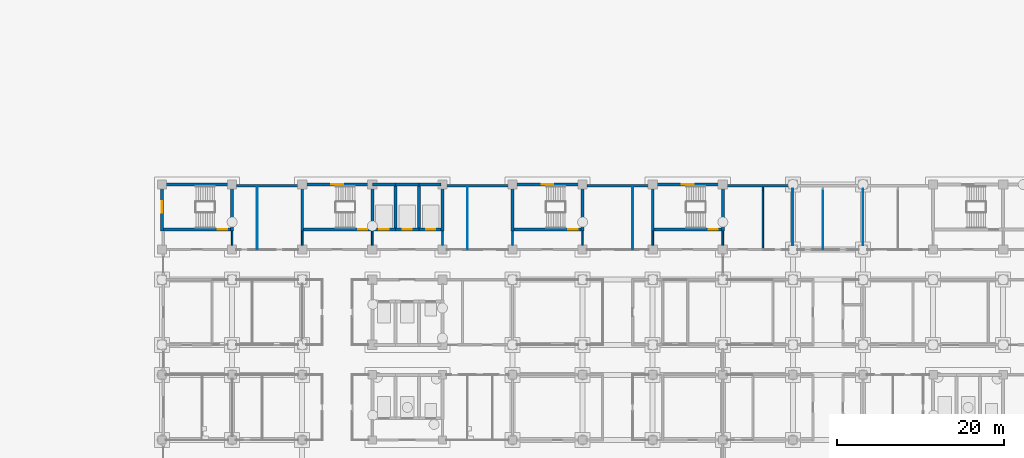
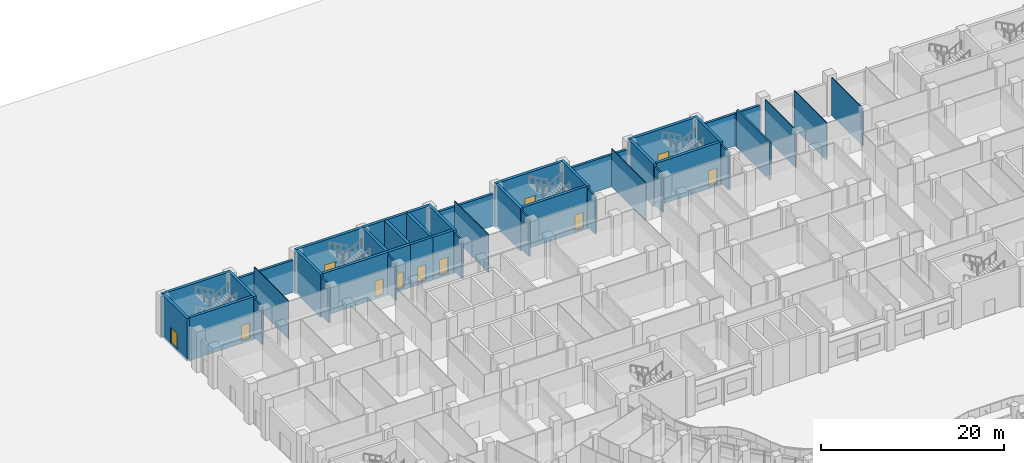
# One storey, part 91 of 146: 45 walls, 11 doors, 11 openings.
"""IFC4 building model written with IfcOpenShell, lengths in metres."""

import ifcopenshell
import ifcopenshell.guid

model = None  # the IFC model being written
_history = None  # IfcOwnerHistory: only IFC2X3 demands one
_inside = {}  # id of a spatial element -> (the spatial element, [elements in it])
_under = {}  # id of a project, library or spatial element -> (it, [spatial elements below it])
_declared = {}  # id of a project -> (the project, [libraries it declares])
_typed = {}  # id of a type object -> (the type object, [elements of that type])
_made_of = {}  # id of a material, layer set ... -> (it, [elements and type objects made of it])


def new_model(schema):
    """Start an empty IFC model of exactly this schema.

    Asked for "IFC4X3", IfcOpenShell would pick the latest addendum, in which some entities
    have other attributes; the version numbers below select the first issue.
    IFC2X3 requires an IfcOwnerHistory on every rooted entity: one is made here for all.
    """
    global model, _history
    if schema == "IFC4X3":
        model = ifcopenshell.file(schema_version=(4, 3, 0, 0))
    else:
        model = ifcopenshell.file(schema=schema)
    _inside.clear()
    _under.clear()
    _declared.clear()
    _typed.clear()
    _made_of.clear()
    _history = None
    if model.schema == "IFC2X3":
        org = make("IfcOrganization", Name="unknown")
        user = make(
            "IfcPersonAndOrganization",
            ThePerson=make("IfcPerson", FamilyName="unknown"),
            TheOrganization=org,
        )
        app = make(
            "IfcApplication",
            ApplicationDeveloper=org,
            Version="unknown",
            ApplicationFullName="unknown",
            ApplicationIdentifier="unknown",
        )
        _history = make(
            "IfcOwnerHistory",
            OwningUser=user,
            OwningApplication=app,
            ChangeAction="ADDED",
            CreationDate=0,
        )
    return model


def make(cls, **values):
    """One entity of the class cls with the attributes given. An attribute that is None is left unset."""
    return model.create_entity(
        cls, **{name: value for name, value in values.items() if value is not None}
    )


def rooted(cls, **values):
    """An entity with a GlobalId (a new one), such as an element, a storey or a relation."""
    return make(cls, GlobalId=ifcopenshell.guid.new(), OwnerHistory=_history, **values)


def si_unit(unit_type, name, prefix=None):
    """IfcSIUnit, for example si_unit("LENGTHUNIT", "METRE", prefix="MILLI")."""
    return make("IfcSIUnit", UnitType=unit_type, Prefix=prefix, Name=name)


def assignment(units):
    """IfcUnitAssignment: the units of a project."""
    return None if units is None else make("IfcUnitAssignment", Units=units)


def point(xyz):
    """IfcCartesianPoint."""
    return None if xyz is None else make("IfcCartesianPoint", Coordinates=xyz)


def direction(xyz):
    """IfcDirection."""
    return None if xyz is None else make("IfcDirection", DirectionRatios=xyz)


def frame(location, z_axis=None, x_axis=None):
    """IfcAxis2Placement3D, a coordinate frame: its origin and axes. An axis left out is left unset."""
    return make(
        "IfcAxis2Placement3D",
        Location=point(location),
        Axis=direction(z_axis),
        RefDirection=direction(x_axis),
    )


def frame_2d(location, x_axis=None):
    """IfcAxis2Placement2D, a coordinate frame in the plane: its origin and x axis."""
    return make(
        "IfcAxis2Placement2D", Location=point(location), RefDirection=direction(x_axis)
    )


def origin():
    """The frame at (0, 0, 0) with its axes left unset."""
    return frame((0.0, 0.0, 0.0))


def place(relative_to, where):
    """IfcLocalPlacement: puts the frame where relative to a parent placement (None: the world)."""
    return make(
        "IfcLocalPlacement", PlacementRelTo=relative_to, RelativePlacement=where
    )


def context(
    kind, dimensions, precision=None, world=None, true_north=None, identifier=None
):
    """IfcGeometricRepresentationContext, for example the 3D "Model" context."""
    return make(
        "IfcGeometricRepresentationContext",
        ContextIdentifier=identifier,
        ContextType=kind,
        CoordinateSpaceDimension=dimensions,
        Precision=precision,
        WorldCoordinateSystem=world,
        TrueNorth=true_north,
    )


def subcontext(parent, identifier, kind, view, scale=None):
    """IfcGeometricRepresentationSubContext, for example "Body" below "Model"."""
    return make(
        "IfcGeometricRepresentationSubContext",
        ContextIdentifier=identifier,
        ContextType=kind,
        ParentContext=parent,
        TargetScale=scale,
        TargetView=view,
    )


def project(units=None, contexts=None):
    """IfcProject with its units and contexts."""
    return rooted(
        "IfcProject",
        Name="project",
        RepresentationContexts=contexts,
        UnitsInContext=assignment(units),
    )


def spatial(cls, under=None, at=None, **own):
    """A site, building, storey or space (cls), placed at a placement, below another one or the project."""
    s = rooted(cls, ObjectPlacement=at, **own)
    if under is not None:
        _under.setdefault(under.id(), (under, []))[1].append(s)
    return s


def profile(cls, at=None, kind="AREA", **sizes):
    """A parametric profile (cls). Its sizes go by their IFC names, for example OverallWidth=200.0."""
    return make(cls, ProfileType=kind, Position=at, **sizes)


def rectangle(**sizes):
    """IfcRectangleProfileDef."""
    return profile("IfcRectangleProfileDef", **sizes)


def extrude(swept, where, along, depth):
    """IfcExtrudedAreaSolid: the profile swept, set in the frame where, extruded along a direction by depth."""
    return make(
        "IfcExtrudedAreaSolid",
        SweptArea=swept,
        Position=where,
        ExtrudedDirection=direction(along),
        Depth=depth,
    )


def shape(context_of_items, identifier, shape_type, items):
    """IfcShapeRepresentation: the items that make up one representation, for example the "Body"."""
    return make(
        "IfcShapeRepresentation",
        ContextOfItems=context_of_items,
        RepresentationIdentifier=identifier,
        RepresentationType=shape_type,
        Items=items,
    )


def material(Name=None, Category=None):
    """IfcMaterial."""
    return make("IfcMaterial", Name=Name, Category=Category)


def layer(
    of_material, thickness, ventilated=None, Name=None, Category=None, Priority=None
):
    """IfcMaterialLayer: one layer of a wall or slab, of a material (None: an air gap)."""
    return make(
        "IfcMaterialLayer",
        Material=of_material,
        LayerThickness=thickness,
        IsVentilated=ventilated,
        Name=Name,
        Category=Category,
        Priority=Priority,
    )


def layer_set(layers, Name=None):
    """IfcMaterialLayerSet."""
    return make("IfcMaterialLayerSet", MaterialLayers=layers, LayerSetName=Name)


def made_of(thing, what):
    """Note that an element or type object is made of a material, layer set ...; save() writes the relation."""
    if what is not None:
        _made_of.setdefault(what.id(), (what, []))[1].append(thing)
    return thing


def type_object(cls, material=None, **own):
    """A type object (cls), such as IfcWallType, which elements share."""
    return made_of(rooted(cls, **own), material)


def element(
    cls,
    number,
    at=None,
    inside=None,
    cuts=None,
    type_object=None,
    material=None,
    context=None,
    identifier="Body",
    shape_type=None,
    held_by="IfcProductDefinitionShape",
    body=None,
    shapes=None,
    **own,
):
    """One element of the class cls, such as IfcWall. Its Tag is "e" and its number.

    at: its placement. inside: the storey or other place that contains it. cuts: it is an
    opening in that element (IfcRelVoidsElement). A single representation is given by context,
    identifier, shape_type and body (its items); several are given by shapes. held_by: the class
    of the entity that holds the representations. save() writes the other relations.
    """
    e = rooted(cls, Tag="e%d" % number, ObjectPlacement=at, **own)
    if body is not None:
        shapes = [shape(context, identifier, shape_type, body)]
    if shapes is not None:
        e.Representation = make(held_by, Representations=shapes)
    if inside is not None:
        _inside.setdefault(inside.id(), (inside, []))[1].append(e)
    if cuts is not None:
        rooted(
            "IfcRelVoidsElement", RelatingBuildingElement=cuts, RelatedOpeningElement=e
        )
    if type_object is not None:
        _typed.setdefault(type_object.id(), (type_object, []))[1].append(e)
    return made_of(e, material)


def fill(opening, filler):
    """IfcRelFillsElement: the door or window that sits in an opening."""
    return rooted(
        "IfcRelFillsElement",
        RelatingOpeningElement=opening,
        RelatedBuildingElement=filler,
    )


def aggregate(whole, parts):
    """IfcRelAggregates: a whole, such as a stair, and the parts it consists of."""
    return rooted("IfcRelAggregates", RelatingObject=whole, RelatedObjects=parts)


def save(model, path):
    """Write the relations noted so far, then the file.

    IfcRelAggregates (storeys below a building ...), IfcRelContainedInSpatialStructure (elements
    in a storey), IfcRelDefinesByType, IfcRelAssociatesMaterial and IfcRelDeclares: one each for
    every whole, place, type object, material and project.
    """
    for whole, parts in _under.values():
        aggregate(whole, parts)
    for where, things in _inside.values():
        rooted(
            "IfcRelContainedInSpatialStructure",
            RelatedElements=things,
            RelatingStructure=where,
        )
    for kind, things in _typed.values():
        rooted("IfcRelDefinesByType", RelatedObjects=things, RelatingType=kind)
    for what, things in _made_of.values():
        rooted("IfcRelAssociatesMaterial", RelatedObjects=things, RelatingMaterial=what)
    for by, libraries in _declared.values():
        rooted("IfcRelDeclares", RelatingContext=by, RelatedDefinitions=libraries)
    model.write(path)


model = new_model("IFC4")

# Units and contexts
model_context = context("Model", 3, precision=1e-05, world=origin(), true_north=direction((0.0, 1.0)))
body_context = subcontext(model_context, "Body", "Model", "MODEL_VIEW")
ifc_project = project(units=[si_unit("LENGTHUNIT", "METRE"), si_unit("AREAUNIT", "SQUARE_METRE"), si_unit("VOLUMEUNIT", "CUBIC_METRE"), si_unit("PLANEANGLEUNIT", "RADIAN"), si_unit("MASSUNIT", "GRAM", prefix="KILO")], contexts=[model_context])

# Site, building, storey
site_placement = place(None, origin())
site = spatial("IfcSite", under=ifc_project, at=site_placement, CompositionType="ELEMENT")
building_placement = place(site_placement, origin())
building = spatial("IfcBuilding", under=site, at=building_placement, Name="Bougainvillea Quay General Hospital", CompositionType="ELEMENT")
storey_placement = place(building_placement, origin())
storey = spatial("IfcBuildingStorey", under=building, at=storey_placement, Name="L00", CompositionType="ELEMENT", Elevation=0.0)

# Walls
ifc_material_1 = material(Name="Pale stone rainscreen cladding on insulated masonry backing, pale stone", Category="masonry")
ifc_layer_1 = layer(ifc_material_1, 0.300048828125)
ifc_layer_set_1 = layer_set([ifc_layer_1], Name="Pale stone rainscreen cladding on insulated masonry backing, pale stone")
wall_type_1 = type_object("IfcWallType", Name="External wall pale stone rainscreen 300", PredefinedType="STANDARD", material=ifc_layer_set_1)
for number, where, z_axis, x_axis, name in (
    (1, (117.10009765625, 159.449951171875, 0.0), (0.0, 0.0, 1.0), (-1.0, 0.0, 0.0), "External wall wall/V4/L00/p0/01f"),
    (2, (100.300048828125, 159.449951171875, 0.0), (0.0, 0.0, 1.0), (-1.0, 0.0, 0.0), "External wall wall/V4/L00/p0/01g"),
):
    element("IfcWall", number, at=place(storey_placement, frame(where, z_axis=z_axis, x_axis=x_axis)), inside=storey, type_object=wall_type_1, Name=name, PredefinedType="STANDARD", context=body_context, shape_type="SweptSolid", body=[
        extrude(rectangle(XDim=7.400146484375, YDim=0.300048828125, at=frame_2d((3.7001953125, 0.0))), origin(), (0.0, 0.0, 1.0), 4.25),
    ])
wall_1_placement = place(storey_placement, frame((83.5, 159.449951171875, 0.0), z_axis=(0.0, 0.0, 1.0), x_axis=(-1.0, 0.0, 0.0)))
element("IfcWall", 3, at=wall_1_placement, inside=storey, type_object=wall_type_1, Name="External wall wall/V4/L00/p0/01h", PredefinedType="STANDARD", context=body_context, shape_type="SweptSolid", body=[
    extrude(rectangle(XDim=7.39990234375, YDim=0.300048828125, at=frame_2d((3.699951171875, 0.0))), origin(), (0.0, 0.0, 1.0), 4.25),
])
wall_2_placement = place(storey_placement, frame((58.300048828125, 159.449951171875, 0.0), z_axis=(0.0, 0.0, 1.0), x_axis=(-1.0, 0.0, 0.0)))
element("IfcWall", 4, at=wall_2_placement, inside=storey, type_object=wall_type_1, Name="External wall wall/V4/L00/p0/01i", PredefinedType="STANDARD", context=body_context, shape_type="SweptSolid", body=[
    extrude(rectangle(XDim=7.400146484375, YDim=0.300048828125, at=frame_2d((3.7001953125, 0.0))), origin(), (0.0, 0.0, 1.0), 4.25),
])
ifc_material_2 = material(Name="Gypsum board partition on steel studs", Category="steel")
ifc_layer_2 = layer(ifc_material_2, 0.10009765625)
ifc_layer_set_2 = layer_set([ifc_layer_2], Name="Gypsum board partition on steel studs")
wall_type_2 = type_object("IfcWallType", Name="Partition 100 Gypsum board partition", PredefinedType="PARTITIONING", material=ifc_layer_set_2)
for number, where, z_axis, x_axis, name in (
    (5, (53.39794921875, 151.85009765625, 0.0), (0.0, 0.0, 1.0), (0.0, 1.0, 0.0), "Partition 100 mm"),
    (6, (78.597900390625, 151.85009765625, 0.0), (0.0, 0.0, 1.0), (0.0, 1.0, 0.0), "Partition 100 mm"),
    (7, (98.39794921875, 151.85009765625, 0.0), (0.0, 0.0, 1.0), (0.0, 1.0, 0.0), "Partition 100 mm"),
):
    element("IfcWall", number, at=place(storey_placement, frame(where, z_axis=z_axis, x_axis=x_axis)), inside=storey, type_object=wall_type_2, Name=name, PredefinedType="PARTITIONING", context=body_context, shape_type="SweptSolid", body=[
        extrude(rectangle(XDim=7.449951171875, YDim=0.10009765625, at=frame_2d((3.72509765625, 0.0))), origin(), (0.0, 0.0, 1.0), 5.050048828125),
    ])
wall_3_placement = place(storey_placement, frame((117.597900390625, 152.300048828125, 0.0), z_axis=(0.0, 0.0, 1.0), x_axis=(0.0, 1.0, 0.0)))
element("IfcWall", 8, at=wall_3_placement, inside=storey, type_object=wall_type_2, Name="Partition 100 mm", PredefinedType="PARTITIONING", context=body_context, shape_type="SweptSolid", body=[
    extrude(rectangle(XDim=6.800048828125, YDim=0.10009765625, at=frame_2d((3.39990234375, 0.0))), origin(), (0.0, 0.0, 1.0), 5.050048828125),
])
wall_4_placement = place(storey_placement, frame((121.197998046875, 151.85009765625, 0.0), z_axis=(0.0, 0.0, 1.0), x_axis=(0.0, 1.0, 0.0)))
element("IfcWall", 9, at=wall_4_placement, inside=storey, type_object=wall_type_2, Name="Partition 100 mm", PredefinedType="PARTITIONING", context=body_context, shape_type="SweptSolid", body=[
    extrude(rectangle(XDim=7.099853515625, YDim=0.10009765625, at=frame_2d((3.5498046875, 0.0))), origin(), (0.0, 0.0, 1.0), 5.050048828125),
])
wall_5_placement = place(storey_placement, frame((126.0, 152.300048828125, 0.0), z_axis=(0.0, 0.0, 1.0), x_axis=(0.0, 1.0, 0.0)))
element("IfcWall", 10, at=wall_5_placement, inside=storey, type_object=wall_type_2, Name="Partition 100 mm", PredefinedType="PARTITIONING", context=body_context, shape_type="SweptSolid", body=[
    extrude(rectangle(XDim=6.800048828125, YDim=0.10009765625, at=frame_2d((3.39990234375, 0.0))), origin(), (0.0, 0.0, 1.0), 5.050048828125),
])
ifc_material_3 = material(Name="Fire-rated autoclaved aerated block wall, plastered")
ifc_layer_3 = layer(ifc_material_3, 0.199951171875)
ifc_layer_set_3 = layer_set([ifc_layer_3], Name="Fire-rated autoclaved aerated block wall, plastered")
wall_type_3 = type_object("IfcWallType", Name="Partition 200 Fire-rated autoclaved aerated block wall EI 120", PredefinedType="SOLIDWALL", material=ifc_layer_set_3)
for number, where, z_axis, x_axis, name in (
    (11, (109.199951171875, 152.300048828125, 0.0), (0.0, 0.0, 1.0), (0.0, 1.0, 0.0), "Partition 200 mm EI 120"),
    (12, (50.39990234375, 152.300048828125, 0.0), (0.0, 0.0, 1.0), (0.0, 1.0, 0.0), "Partition 200 mm EI 120"),
    (13, (58.800048828125, 152.300048828125, 0.0), (0.0, 0.0, 1.0), (0.0, 1.0, 0.0), "Partition 200 mm EI 120"),
    (14, (67.199951171875, 152.300048828125, 0.0), (0.0, 0.0, 1.0), (0.0, 1.0, 0.0), "Partition 200 mm EI 120"),
    (15, (75.60009765625, 152.300048828125, 0.0), (0.0, 0.0, 1.0), (0.0, 1.0, 0.0), "Partition 200 mm EI 120"),
    (16, (84.0, 152.300048828125, 0.0), (0.0, 0.0, 1.0), (0.0, 1.0, 0.0), "Partition 200 mm EI 120"),
    (17, (92.39990234375, 152.300048828125, 0.0), (0.0, 0.0, 1.0), (0.0, 1.0, 0.0), "Partition 200 mm EI 120"),
    (18, (100.800048828125, 152.300048828125, 0.0), (0.0, 0.0, 1.0), (0.0, 1.0, 0.0), "Partition 200 mm EI 120"),
):
    element("IfcWall", number, at=place(storey_placement, frame(where, z_axis=z_axis, x_axis=x_axis)), inside=storey, type_object=wall_type_3, Name=name, PredefinedType="SOLIDWALL", context=body_context, shape_type="SweptSolid", body=[
        extrude(rectangle(XDim=1.724853515625, YDim=0.199951171875, at=frame_2d((0.8623046875, 0.0))), origin(), (0.0, 0.0, 1.0), 5.050048828125),
    ])
ifc_layer_4 = layer(ifc_material_3, 0.199951171875)
ifc_layer_set_4 = layer_set([ifc_layer_4], Name="Fire-rated autoclaved aerated block wall, plastered")
wall_type_4 = type_object("IfcWallType", Name="Partition 200 Fire-rated autoclaved aerated block wall EI 60", PredefinedType="SOLIDWALL", material=ifc_layer_set_4)
wall_6_placement = place(storey_placement, frame((113.998046875, 151.699951171875, 0.0), z_axis=(0.0, 0.0, 1.0), x_axis=(0.0, 1.0, 0.0)))
element("IfcWall", 19, at=wall_6_placement, inside=storey, type_object=wall_type_4, Name="Partition 200 mm EI 60", PredefinedType="SOLIDWALL", context=body_context, shape_type="SweptSolid", body=[
    extrude(rectangle(XDim=7.199951171875, YDim=0.199951171875, at=frame_2d((3.60009765625, 0.0))), origin(), (0.0, 0.0, 1.0), 5.050048828125),
])
wall_7_placement = place(storey_placement, frame((113.998046875, 158.89990234375, 0.0), z_axis=(0.0, 0.0, 1.0), x_axis=(0.0, 1.0, 0.0)))
element("IfcWall", 20, at=wall_7_placement, inside=storey, type_object=wall_type_4, Name="Partition 200 mm EI 60", PredefinedType="SOLIDWALL", context=body_context, shape_type="SweptSolid", body=[
    extrude(rectangle(XDim=0.400146484375, YDim=0.199951171875, at=frame_2d((0.2001953125, 0.0))), origin(), (0.0, 0.0, 1.0), 4.280029296875),
])
ifc_material_4 = material(Name="Concrete C40", Category="concrete")
ifc_layer_5 = layer(ifc_material_4, 0.35009765625)
ifc_layer_set_5 = layer_set([ifc_layer_5], Name="Concrete C40")
wall_type_5 = type_object("IfcWallType", Name="RC SHEAR WALL 350 C40", PredefinedType="SHEAR", material=ifc_layer_set_5)
wall_8_placement = place(storey_placement, frame((41.824951171875, 159.60009765625, -0.300048828125), z_axis=(0.0, 0.0, 1.0), x_axis=(1.0, 0.0, 0.0)))
element("IfcWall", 21, at=wall_8_placement, inside=storey, type_object=wall_type_5, Name="Shear wall L00", PredefinedType="SHEAR", context=body_context, shape_type="SweptSolid", body=[
    extrude(rectangle(XDim=8.400146484375, YDim=0.35009765625, at=frame_2d((4.2001953125, 0.0))), origin(), (0.0, 0.0, 1.0), 5.699951171875),
])

# Wall, opening, door
wall_9_placement = place(storey_placement, frame((42.0, 154.02490234375, -0.300048828125), z_axis=(0.0, 0.0, 1.0), x_axis=(0.0, 1.0, 0.0)))
wall_9 = element("IfcWall", 22, at=wall_9_placement, inside=storey, type_object=wall_type_5, Name="Shear wall L00", PredefinedType="SHEAR", context=body_context, shape_type="SweptSolid", body=[
    extrude(rectangle(XDim=5.400146484375, YDim=0.35009765625, at=frame_2d((2.7001953125, 0.0))), origin(), (0.0, 0.0, 1.0), 5.699951171875),
])
opening_1_placement = place(wall_9_placement, frame((2.175048828125, 0.0, 0.300048828125)))
opening_1 = element("IfcOpeningElement", 23, at=opening_1_placement, cuts=wall_9, Name="Opening L00.335", PredefinedType="OPENING", context=body_context, shape_type="SweptSolid", body=[
    extrude(rectangle(XDim=1.39990234375, YDim=2.10009765625, at=frame_2d((0.699951171875, 1.050048828125))), frame((0.0, 0.18505859375, 0.0), z_axis=(0.0, -1.0, 0.0), x_axis=(1.0, 0.0, 0.0)), (0.0, 0.0, 1.0), 0.3701171875),
])
ifc_material_5 = material(Name="Steel door leaf, painted, with vision panel", Category="steel")
door_type_1 = type_object("IfcDoorType", Name="Stair discharge door 1400x2100", OperationType="SINGLE_SWING_LEFT", PredefinedType="DOOR", material=ifc_material_5)
door_1_placement = place(opening_1_placement, origin())
door_1 = element("IfcDoor", 24, at=door_1_placement, inside=storey, type_object=door_type_1, Name="Stair discharge door ST-A1", OperationType="SINGLE_SWING_LEFT", OverallHeight=2.10009765625, OverallWidth=1.39990234375, PredefinedType="DOOR", context=body_context, shape_type="SweptSolid", body=[
    extrude(rectangle(XDim=1.39990234375, YDim=2.10009765625, at=frame_2d((0.699951171875, 1.050048828125))), frame((0.0, 0.02490234375, 0.0), z_axis=(0.0, -1.0, 0.0), x_axis=(1.0, 0.0, 0.0)), (0.0, 0.0, 1.0), 0.050048828125),
])
fill(opening_1, door_1)

wall_10_placement = place(storey_placement, frame((42.175048828125, 154.199951171875, -0.300048828125), z_axis=(0.0, 0.0, 1.0), x_axis=(1.0, 0.0, 0.0)))
wall_10 = element("IfcWall", 25, at=wall_10_placement, inside=storey, type_object=wall_type_5, Name="Shear wall L00", PredefinedType="SHEAR", context=body_context, shape_type="SweptSolid", body=[
    extrude(rectangle(XDim=8.050048828125, YDim=0.35009765625, at=frame_2d((4.02490234375, 0.0))), origin(), (0.0, 0.0, 1.0), 5.699951171875),
])
opening_2_placement = place(wall_10_placement, frame((6.52490234375, 0.0, 0.300048828125)))
opening_2 = element("IfcOpeningElement", 26, at=opening_2_placement, cuts=wall_10, Name="Opening L00.019", PredefinedType="OPENING", context=body_context, shape_type="SweptSolid", body=[
    extrude(rectangle(XDim=1.10009765625, YDim=2.10009765625, at=frame_2d((0.550048828125, 1.050048828125))), frame((0.0, 0.18505859375, 0.0), z_axis=(0.0, -1.0, 0.0), x_axis=(1.0, 0.0, 0.0)), (0.0, 0.0, 1.0), 0.3701171875),
])
ifc_material_6 = material(Name="Steel fire door leaf in steel frame", Category="steel")
door_type_2 = type_object("IfcDoorType", Name="Steel single leaf door 1100x2100 FD60", OperationType="NOTDEFINED", PredefinedType="DOOR", material=ifc_material_6)
door_2_placement = place(opening_2_placement, origin())
door_2 = element("IfcDoor", 27, at=door_2_placement, inside=storey, type_object=door_type_2, Name="DT04 L00.019", OperationType="SINGLE_SWING_RIGHT", OverallHeight=2.10009765625, OverallWidth=1.10009765625, PredefinedType="DOOR", context=body_context, shape_type="SweptSolid", body=[
    extrude(rectangle(XDim=1.10009765625, YDim=2.10009765625, at=frame_2d((0.550048828125, 1.050048828125))), frame((0.0, 0.02490234375, 0.0), z_axis=(0.0, -1.0, 0.0), x_axis=(1.0, 0.0, 0.0)), (0.0, 0.0, 1.0), 0.050048828125),
])
fill(opening_2, door_2)

# Wall
wall_11_placement = place(storey_placement, frame((50.39990234375, 154.02490234375, -0.300048828125), z_axis=(0.0, 0.0, 1.0), x_axis=(0.0, 1.0, 0.0)))
element("IfcWall", 28, at=wall_11_placement, inside=storey, type_object=wall_type_5, Name="Shear wall L00", PredefinedType="SHEAR", context=body_context, shape_type="SweptSolid", body=[
    extrude(rectangle(XDim=5.75, YDim=0.35009765625, at=frame_2d((2.875, 0.0))), origin(), (0.0, 0.0, 1.0), 5.699951171875),
])

# Wall, opening, door
wall_12_placement = place(storey_placement, frame((58.625, 159.60009765625, -0.300048828125), z_axis=(0.0, 0.0, 1.0), x_axis=(1.0, 0.0, 0.0)))
wall_12 = element("IfcWall", 29, at=wall_12_placement, inside=storey, type_object=wall_type_5, Name="Shear wall L00", PredefinedType="SHEAR", context=body_context, shape_type="SweptSolid", body=[
    extrude(rectangle(XDim=8.574951171875, YDim=0.35009765625, at=frame_2d((4.28759765625, 0.0))), origin(), (0.0, 0.0, 1.0), 5.699951171875),
])
opening_3_placement = place(wall_12_placement, frame((3.675048828125, 0.0, 0.300048828125)))
opening_3 = element("IfcOpeningElement", 30, at=opening_3_placement, cuts=wall_12, Name="Opening L00.343", PredefinedType="OPENING", context=body_context, shape_type="SweptSolid", body=[
    extrude(rectangle(XDim=1.39990234375, YDim=2.10009765625, at=frame_2d((0.699951171875, 1.050048828125))), frame((0.0, 0.18505859375, 0.0), z_axis=(0.0, -1.0, 0.0), x_axis=(1.0, 0.0, 0.0)), (0.0, 0.0, 1.0), 0.3701171875),
])
door_3_placement = place(opening_3_placement, origin())
door_3 = element("IfcDoor", 31, at=door_3_placement, inside=storey, type_object=door_type_1, Name="Stair discharge door ST-D1", OperationType="SINGLE_SWING_LEFT", OverallHeight=2.10009765625, OverallWidth=1.39990234375, PredefinedType="DOOR", context=body_context, shape_type="SweptSolid", body=[
    extrude(rectangle(XDim=1.39990234375, YDim=2.10009765625, at=frame_2d((0.699951171875, 1.050048828125))), frame((0.0, 0.02490234375, 0.0), z_axis=(0.0, -1.0, 0.0), x_axis=(1.0, 0.0, 0.0)), (0.0, 0.0, 1.0), 0.050048828125),
])
fill(opening_3, door_3)

# Wall
wall_13_placement = place(storey_placement, frame((58.800048828125, 154.02490234375, -0.300048828125), z_axis=(0.0, 0.0, 1.0), x_axis=(0.0, 1.0, 0.0)))
element("IfcWall", 32, at=wall_13_placement, inside=storey, type_object=wall_type_5, Name="Shear wall L00", PredefinedType="SHEAR", context=body_context, shape_type="SweptSolid", body=[
    extrude(rectangle(XDim=5.400146484375, YDim=0.35009765625, at=frame_2d((2.7001953125, 0.0))), origin(), (0.0, 0.0, 1.0), 5.699951171875),
])

# Wall, opening, door
wall_14_placement = place(storey_placement, frame((58.97509765625, 154.199951171875, -0.300048828125), z_axis=(0.0, 0.0, 1.0), x_axis=(1.0, 0.0, 0.0)))
wall_14 = element("IfcWall", 33, at=wall_14_placement, inside=storey, type_object=wall_type_5, Name="Shear wall L00", PredefinedType="SHEAR", context=body_context, shape_type="SweptSolid", body=[
    extrude(rectangle(XDim=8.224853515625, YDim=0.35009765625, at=frame_2d((4.1123046875, 0.0))), origin(), (0.0, 0.0, 1.0), 5.699951171875),
])
opening_4_placement = place(wall_14_placement, frame((6.52490234375, 0.0, 0.300048828125)))
opening_4 = element("IfcOpeningElement", 34, at=opening_4_placement, cuts=wall_14, Name="Opening L00.027", PredefinedType="OPENING", context=body_context, shape_type="SweptSolid", body=[
    extrude(rectangle(XDim=1.10009765625, YDim=2.10009765625, at=frame_2d((0.550048828125, 1.050048828125))), frame((0.0, 0.18505859375, 0.0), z_axis=(0.0, -1.0, 0.0), x_axis=(1.0, 0.0, 0.0)), (0.0, 0.0, 1.0), 0.3701171875),
])
door_4_placement = place(opening_4_placement, origin())
door_4 = element("IfcDoor", 35, at=door_4_placement, inside=storey, type_object=door_type_2, Name="DT04 L00.027", OperationType="SINGLE_SWING_RIGHT", OverallHeight=2.10009765625, OverallWidth=1.10009765625, PredefinedType="DOOR", context=body_context, shape_type="SweptSolid", body=[
    extrude(rectangle(XDim=1.10009765625, YDim=2.10009765625, at=frame_2d((0.550048828125, 1.050048828125))), frame((0.0, 0.02490234375, 0.0), z_axis=(0.0, -1.0, 0.0), x_axis=(1.0, 0.0, 0.0)), (0.0, 0.0, 1.0), 0.050048828125),
])
fill(opening_4, door_4)

wall_15_placement = place(storey_placement, frame((67.199951171875, 154.199951171875, -0.300048828125), z_axis=(0.0, 0.0, 1.0), x_axis=(1.0, 0.0, 0.0)))
wall_15 = element("IfcWall", 36, at=wall_15_placement, inside=storey, type_object=wall_type_5, Name="Shear wall L00", PredefinedType="SHEAR", context=body_context, shape_type="SweptSolid", body=[
    extrude(rectangle(XDim=2.800048828125, YDim=0.35009765625, at=frame_2d((1.39990234375, 0.0))), origin(), (0.0, 0.0, 1.0), 5.699951171875),
])
opening_5_placement = place(wall_15_placement, frame((0.85009765625, 0.0, 0.300048828125)))
opening_5 = element("IfcOpeningElement", 37, at=opening_5_placement, cuts=wall_15, Name="Opening LD-G1.1-L00", PredefinedType="OPENING", context=body_context, shape_type="SweptSolid", body=[
    extrude(rectangle(XDim=1.10009765625, YDim=2.10009765625, at=frame_2d((0.550048828125, 1.050048828125))), frame((0.0, 0.18505859375, 0.0), z_axis=(0.0, -1.0, 0.0), x_axis=(1.0, 0.0, 0.0)), (0.0, 0.0, 1.0), 0.3701171875),
])
ifc_material_7 = material(Name="Stainless steel centre-opening landing door", Category="steel")
door_type_3 = type_object("IfcDoorType", Name="Lift landing door 1100x2100 E 120", OperationType="DOUBLE_DOOR_SLIDING", PredefinedType="DOOR", material=ifc_material_7)
door_5_placement = place(opening_5_placement, origin())
door_5 = element("IfcDoor", 38, at=door_5_placement, inside=storey, type_object=door_type_3, Name="Lift landing door LB-G1-1 L00", OperationType="DOUBLE_DOOR_SLIDING", OverallHeight=2.10009765625, OverallWidth=1.10009765625, PredefinedType="DOOR", context=body_context, shape_type="SweptSolid", body=[
    extrude(rectangle(XDim=1.10009765625, YDim=2.10009765625, at=frame_2d((0.550048828125, 1.050048828125))), frame((0.0, 0.02490234375, 0.0), z_axis=(0.0, -1.0, 0.0), x_axis=(1.0, 0.0, 0.0)), (0.0, 0.0, 1.0), 0.050048828125),
])
fill(opening_5, door_5)

# Walls
wall_16_placement = place(storey_placement, frame((67.199951171875, 154.375, -0.300048828125), z_axis=(0.0, 0.0, 1.0), x_axis=(0.0, 1.0, 0.0)))
element("IfcWall", 39, at=wall_16_placement, inside=storey, type_object=wall_type_5, Name="Shear wall L00", PredefinedType="SHEAR", context=body_context, shape_type="SweptSolid", body=[
    extrude(rectangle(XDim=5.050048828125, YDim=0.35009765625, at=frame_2d((2.52490234375, 0.0))), origin(), (0.0, 0.0, 1.0), 5.699951171875),
])
wall_17_placement = place(storey_placement, frame((67.199951171875, 159.60009765625, -0.300048828125), z_axis=(0.0, 0.0, 1.0), x_axis=(1.0, 0.0, 0.0)))
element("IfcWall", 40, at=wall_17_placement, inside=storey, type_object=wall_type_5, Name="Shear wall L00", PredefinedType="SHEAR", context=body_context, shape_type="SweptSolid", body=[
    extrude(rectangle(XDim=2.800048828125, YDim=0.35009765625, at=frame_2d((1.39990234375, 0.0))), origin(), (0.0, 0.0, 1.0), 5.699951171875),
])

# Wall, opening, door
wall_18_placement = place(storey_placement, frame((70.0, 154.199951171875, -0.300048828125), z_axis=(0.0, 0.0, 1.0), x_axis=(1.0, 0.0, 0.0)))
wall_18 = element("IfcWall", 41, at=wall_18_placement, inside=storey, type_object=wall_type_5, Name="Shear wall L00", PredefinedType="SHEAR", context=body_context, shape_type="SweptSolid", body=[
    extrude(rectangle(XDim=2.800048828125, YDim=0.35009765625, at=frame_2d((1.39990234375, 0.0))), origin(), (0.0, 0.0, 1.0), 5.699951171875),
])
opening_6_placement = place(wall_18_placement, frame((0.85009765625, 0.0, 0.300048828125)))
opening_6 = element("IfcOpeningElement", 42, at=opening_6_placement, cuts=wall_18, Name="Opening LD-G1.2-L00", PredefinedType="OPENING", context=body_context, shape_type="SweptSolid", body=[
    extrude(rectangle(XDim=1.10009765625, YDim=2.10009765625, at=frame_2d((0.550048828125, 1.050048828125))), frame((0.0, 0.18505859375, 0.0), z_axis=(0.0, -1.0, 0.0), x_axis=(1.0, 0.0, 0.0)), (0.0, 0.0, 1.0), 0.3701171875),
])
door_6_placement = place(opening_6_placement, origin())
door_6 = element("IfcDoor", 43, at=door_6_placement, inside=storey, type_object=door_type_3, Name="Lift landing door LB-G1-2 L00", OperationType="DOUBLE_DOOR_SLIDING", OverallHeight=2.10009765625, OverallWidth=1.10009765625, PredefinedType="DOOR", context=body_context, shape_type="SweptSolid", body=[
    extrude(rectangle(XDim=1.10009765625, YDim=2.10009765625, at=frame_2d((0.550048828125, 1.050048828125))), frame((0.0, 0.02490234375, 0.0), z_axis=(0.0, -1.0, 0.0), x_axis=(1.0, 0.0, 0.0)), (0.0, 0.0, 1.0), 0.050048828125),
])
fill(opening_6, door_6)

# Walls
wall_19_placement = place(storey_placement, frame((70.0, 154.375, -0.300048828125), z_axis=(0.0, 0.0, 1.0), x_axis=(0.0, 1.0, 0.0)))
element("IfcWall", 44, at=wall_19_placement, inside=storey, type_object=wall_type_5, Name="Shear wall L00", PredefinedType="SHEAR", context=body_context, shape_type="SweptSolid", body=[
    extrude(rectangle(XDim=5.050048828125, YDim=0.35009765625, at=frame_2d((2.52490234375, 0.0))), origin(), (0.0, 0.0, 1.0), 5.699951171875),
])
wall_20_placement = place(storey_placement, frame((70.0, 159.60009765625, -0.300048828125), z_axis=(0.0, 0.0, 1.0), x_axis=(1.0, 0.0, 0.0)))
element("IfcWall", 45, at=wall_20_placement, inside=storey, type_object=wall_type_5, Name="Shear wall L00", PredefinedType="SHEAR", context=body_context, shape_type="SweptSolid", body=[
    extrude(rectangle(XDim=2.800048828125, YDim=0.35009765625, at=frame_2d((1.39990234375, 0.0))), origin(), (0.0, 0.0, 1.0), 5.699951171875),
])

# Wall, opening, door
wall_21_placement = place(storey_placement, frame((72.800048828125, 154.199951171875, -0.300048828125), z_axis=(0.0, 0.0, 1.0), x_axis=(1.0, 0.0, 0.0)))
wall_21 = element("IfcWall", 46, at=wall_21_placement, inside=storey, type_object=wall_type_5, Name="Shear wall L00", PredefinedType="SHEAR", context=body_context, shape_type="SweptSolid", body=[
    extrude(rectangle(XDim=2.625, YDim=0.35009765625, at=frame_2d((1.3125, 0.0))), origin(), (0.0, 0.0, 1.0), 5.699951171875),
])
opening_7_placement = place(wall_21_placement, frame((0.85009765625, 0.0, 0.300048828125)))
opening_7 = element("IfcOpeningElement", 47, at=opening_7_placement, cuts=wall_21, Name="Opening LD-G1.3-L00", PredefinedType="OPENING", context=body_context, shape_type="SweptSolid", body=[
    extrude(rectangle(XDim=1.10009765625, YDim=2.10009765625, at=frame_2d((0.550048828125, 1.050048828125))), frame((0.0, 0.18505859375, 0.0), z_axis=(0.0, -1.0, 0.0), x_axis=(1.0, 0.0, 0.0)), (0.0, 0.0, 1.0), 0.3701171875),
])
door_7_placement = place(opening_7_placement, origin())
door_7 = element("IfcDoor", 48, at=door_7_placement, inside=storey, type_object=door_type_3, Name="Lift landing door LB-G1-3 L00", OperationType="DOUBLE_DOOR_SLIDING", OverallHeight=2.10009765625, OverallWidth=1.10009765625, PredefinedType="DOOR", context=body_context, shape_type="SweptSolid", body=[
    extrude(rectangle(XDim=1.10009765625, YDim=2.10009765625, at=frame_2d((0.550048828125, 1.050048828125))), frame((0.0, 0.02490234375, 0.0), z_axis=(0.0, -1.0, 0.0), x_axis=(1.0, 0.0, 0.0)), (0.0, 0.0, 1.0), 0.050048828125),
])
fill(opening_7, door_7)

# Walls
wall_22_placement = place(storey_placement, frame((72.800048828125, 154.375, -0.300048828125), z_axis=(0.0, 0.0, 1.0), x_axis=(0.0, 1.0, 0.0)))
element("IfcWall", 49, at=wall_22_placement, inside=storey, type_object=wall_type_5, Name="Shear wall L00", PredefinedType="SHEAR", context=body_context, shape_type="SweptSolid", body=[
    extrude(rectangle(XDim=5.050048828125, YDim=0.35009765625, at=frame_2d((2.52490234375, 0.0))), origin(), (0.0, 0.0, 1.0), 5.699951171875),
])
wall_23_placement = place(storey_placement, frame((72.800048828125, 159.60009765625, -0.300048828125), z_axis=(0.0, 0.0, 1.0), x_axis=(1.0, 0.0, 0.0)))
element("IfcWall", 50, at=wall_23_placement, inside=storey, type_object=wall_type_5, Name="Shear wall L00", PredefinedType="SHEAR", context=body_context, shape_type="SweptSolid", body=[
    extrude(rectangle(XDim=2.625, YDim=0.35009765625, at=frame_2d((1.3125, 0.0))), origin(), (0.0, 0.0, 1.0), 5.699951171875),
])
wall_24_placement = place(storey_placement, frame((75.60009765625, 154.02490234375, -0.300048828125), z_axis=(0.0, 0.0, 1.0), x_axis=(0.0, 1.0, 0.0)))
element("IfcWall", 51, at=wall_24_placement, inside=storey, type_object=wall_type_5, Name="Shear wall L00", PredefinedType="SHEAR", context=body_context, shape_type="SweptSolid", body=[
    extrude(rectangle(XDim=5.75, YDim=0.35009765625, at=frame_2d((2.875, 0.0))), origin(), (0.0, 0.0, 1.0), 5.699951171875),
])

# Wall, opening, door
wall_25_placement = place(storey_placement, frame((83.824951171875, 159.60009765625, -0.300048828125), z_axis=(0.0, 0.0, 1.0), x_axis=(1.0, 0.0, 0.0)))
wall_25 = element("IfcWall", 52, at=wall_25_placement, inside=storey, type_object=wall_type_5, Name="Shear wall L00", PredefinedType="SHEAR", context=body_context, shape_type="SweptSolid", body=[
    extrude(rectangle(XDim=8.400146484375, YDim=0.35009765625, at=frame_2d((4.2001953125, 0.0))), origin(), (0.0, 0.0, 1.0), 5.699951171875),
])
opening_8_placement = place(wall_25_placement, frame((3.675048828125, 0.0, 0.300048828125)))
opening_8 = element("IfcOpeningElement", 53, at=opening_8_placement, cuts=wall_25, Name="Opening L00.336", PredefinedType="OPENING", context=body_context, shape_type="SweptSolid", body=[
    extrude(rectangle(XDim=1.39990234375, YDim=2.10009765625, at=frame_2d((0.699951171875, 1.050048828125))), frame((0.0, 0.18505859375, 0.0), z_axis=(0.0, -1.0, 0.0), x_axis=(1.0, 0.0, 0.0)), (0.0, 0.0, 1.0), 0.3701171875),
])
door_8_placement = place(opening_8_placement, origin())
door_8 = element("IfcDoor", 54, at=door_8_placement, inside=storey, type_object=door_type_1, Name="Stair discharge door ST-A2", OperationType="SINGLE_SWING_LEFT", OverallHeight=2.10009765625, OverallWidth=1.39990234375, PredefinedType="DOOR", context=body_context, shape_type="SweptSolid", body=[
    extrude(rectangle(XDim=1.39990234375, YDim=2.10009765625, at=frame_2d((0.699951171875, 1.050048828125))), frame((0.0, 0.02490234375, 0.0), z_axis=(0.0, -1.0, 0.0), x_axis=(1.0, 0.0, 0.0)), (0.0, 0.0, 1.0), 0.050048828125),
])
fill(opening_8, door_8)

# Wall
wall_26_placement = place(storey_placement, frame((84.0, 154.02490234375, -0.300048828125), z_axis=(0.0, 0.0, 1.0), x_axis=(0.0, 1.0, 0.0)))
element("IfcWall", 55, at=wall_26_placement, inside=storey, type_object=wall_type_5, Name="Shear wall L00", PredefinedType="SHEAR", context=body_context, shape_type="SweptSolid", body=[
    extrude(rectangle(XDim=5.400146484375, YDim=0.35009765625, at=frame_2d((2.7001953125, 0.0))), origin(), (0.0, 0.0, 1.0), 5.699951171875),
])

# Wall, opening, door
wall_27_placement = place(storey_placement, frame((84.175048828125, 154.199951171875, -0.300048828125), z_axis=(0.0, 0.0, 1.0), x_axis=(1.0, 0.0, 0.0)))
wall_27 = element("IfcWall", 56, at=wall_27_placement, inside=storey, type_object=wall_type_5, Name="Shear wall L00", PredefinedType="SHEAR", context=body_context, shape_type="SweptSolid", body=[
    extrude(rectangle(XDim=8.050048828125, YDim=0.35009765625, at=frame_2d((4.02490234375, 0.0))), origin(), (0.0, 0.0, 1.0), 5.699951171875),
])
opening_9_placement = place(wall_27_placement, frame((6.52490234375, 0.0, 0.300048828125)))
opening_9 = element("IfcOpeningElement", 57, at=opening_9_placement, cuts=wall_27, Name="Opening L00.020", PredefinedType="OPENING", context=body_context, shape_type="SweptSolid", body=[
    extrude(rectangle(XDim=1.10009765625, YDim=2.10009765625, at=frame_2d((0.550048828125, 1.050048828125))), frame((0.0, 0.18505859375, 0.0), z_axis=(0.0, -1.0, 0.0), x_axis=(1.0, 0.0, 0.0)), (0.0, 0.0, 1.0), 0.3701171875),
])
door_9_placement = place(opening_9_placement, origin())
door_9 = element("IfcDoor", 58, at=door_9_placement, inside=storey, type_object=door_type_2, Name="DT04 L00.020", OperationType="SINGLE_SWING_RIGHT", OverallHeight=2.10009765625, OverallWidth=1.10009765625, PredefinedType="DOOR", context=body_context, shape_type="SweptSolid", body=[
    extrude(rectangle(XDim=1.10009765625, YDim=2.10009765625, at=frame_2d((0.550048828125, 1.050048828125))), frame((0.0, 0.02490234375, 0.0), z_axis=(0.0, -1.0, 0.0), x_axis=(1.0, 0.0, 0.0)), (0.0, 0.0, 1.0), 0.050048828125),
])
fill(opening_9, door_9)

# Wall
wall_28_placement = place(storey_placement, frame((92.39990234375, 154.02490234375, -0.300048828125), z_axis=(0.0, 0.0, 1.0), x_axis=(0.0, 1.0, 0.0)))
element("IfcWall", 59, at=wall_28_placement, inside=storey, type_object=wall_type_5, Name="Shear wall L00", PredefinedType="SHEAR", context=body_context, shape_type="SweptSolid", body=[
    extrude(rectangle(XDim=5.75, YDim=0.35009765625, at=frame_2d((2.875, 0.0))), origin(), (0.0, 0.0, 1.0), 5.699951171875),
])

# Wall, opening, door
wall_29_placement = place(storey_placement, frame((100.625, 159.60009765625, -0.300048828125), z_axis=(0.0, 0.0, 1.0), x_axis=(1.0, 0.0, 0.0)))
wall_29 = element("IfcWall", 60, at=wall_29_placement, inside=storey, type_object=wall_type_5, Name="Shear wall L00", PredefinedType="SHEAR", context=body_context, shape_type="SweptSolid", body=[
    extrude(rectangle(XDim=8.39990234375, YDim=0.35009765625, at=frame_2d((4.199951171875, 0.0))), origin(), (0.0, 0.0, 1.0), 5.699951171875),
])
opening_10_placement = place(wall_29_placement, frame((3.675048828125, 0.0, 0.300048828125)))
opening_10 = element("IfcOpeningElement", 61, at=opening_10_placement, cuts=wall_29, Name="Opening L00.344", PredefinedType="OPENING", context=body_context, shape_type="SweptSolid", body=[
    extrude(rectangle(XDim=1.39990234375, YDim=2.10009765625, at=frame_2d((0.699951171875, 1.050048828125))), frame((0.0, 0.18505859375, 0.0), z_axis=(0.0, -1.0, 0.0), x_axis=(1.0, 0.0, 0.0)), (0.0, 0.0, 1.0), 0.3701171875),
])
door_10_placement = place(opening_10_placement, origin())
door_10 = element("IfcDoor", 62, at=door_10_placement, inside=storey, type_object=door_type_1, Name="Stair discharge door ST-A5", OperationType="SINGLE_SWING_LEFT", OverallHeight=2.10009765625, OverallWidth=1.39990234375, PredefinedType="DOOR", context=body_context, shape_type="SweptSolid", body=[
    extrude(rectangle(XDim=1.39990234375, YDim=2.10009765625, at=frame_2d((0.699951171875, 1.050048828125))), frame((0.0, 0.02490234375, 0.0), z_axis=(0.0, -1.0, 0.0), x_axis=(1.0, 0.0, 0.0)), (0.0, 0.0, 1.0), 0.050048828125),
])
fill(opening_10, door_10)

# Wall
wall_30_placement = place(storey_placement, frame((100.800048828125, 154.02490234375, -0.300048828125), z_axis=(0.0, 0.0, 1.0), x_axis=(0.0, 1.0, 0.0)))
element("IfcWall", 63, at=wall_30_placement, inside=storey, type_object=wall_type_5, Name="Shear wall L00", PredefinedType="SHEAR", context=body_context, shape_type="SweptSolid", body=[
    extrude(rectangle(XDim=5.400146484375, YDim=0.35009765625, at=frame_2d((2.7001953125, 0.0))), origin(), (0.0, 0.0, 1.0), 5.699951171875),
])

# Wall, opening, door
wall_31_placement = place(storey_placement, frame((100.97509765625, 154.199951171875, -0.300048828125), z_axis=(0.0, 0.0, 1.0), x_axis=(1.0, 0.0, 0.0)))
wall_31 = element("IfcWall", 64, at=wall_31_placement, inside=storey, type_object=wall_type_5, Name="Shear wall L00", PredefinedType="SHEAR", context=body_context, shape_type="SweptSolid", body=[
    extrude(rectangle(XDim=8.0498046875, YDim=0.35009765625, at=frame_2d((4.02490234375, 0.0))), origin(), (0.0, 0.0, 1.0), 5.699951171875),
])
opening_11_placement = place(wall_31_placement, frame((6.52490234375, 0.0, 0.300048828125)))
opening_11 = element("IfcOpeningElement", 65, at=opening_11_placement, cuts=wall_31, Name="Opening L00.028", PredefinedType="OPENING", context=body_context, shape_type="SweptSolid", body=[
    extrude(rectangle(XDim=1.10009765625, YDim=2.10009765625, at=frame_2d((0.550048828125, 1.050048828125))), frame((0.0, 0.18505859375, 0.0), z_axis=(0.0, -1.0, 0.0), x_axis=(1.0, 0.0, 0.0)), (0.0, 0.0, 1.0), 0.3701171875),
])
door_11_placement = place(opening_11_placement, origin())
door_11 = element("IfcDoor", 66, at=door_11_placement, inside=storey, type_object=door_type_2, Name="DT04 L00.028", OperationType="SINGLE_SWING_RIGHT", OverallHeight=2.10009765625, OverallWidth=1.10009765625, PredefinedType="DOOR", context=body_context, shape_type="SweptSolid", body=[
    extrude(rectangle(XDim=1.10009765625, YDim=2.10009765625, at=frame_2d((0.550048828125, 1.050048828125))), frame((0.0, 0.02490234375, 0.0), z_axis=(0.0, -1.0, 0.0), x_axis=(1.0, 0.0, 0.0)), (0.0, 0.0, 1.0), 0.050048828125),
])
fill(opening_11, door_11)

# Wall
wall_32_placement = place(storey_placement, frame((109.199951171875, 154.02490234375, -0.300048828125), z_axis=(0.0, 0.0, 1.0), x_axis=(0.0, 1.0, 0.0)))
element("IfcWall", 67, at=wall_32_placement, inside=storey, type_object=wall_type_5, Name="Shear wall L00", PredefinedType="SHEAR", context=body_context, shape_type="SweptSolid", body=[
    extrude(rectangle(XDim=5.75, YDim=0.35009765625, at=frame_2d((2.875, 0.0))), origin(), (0.0, 0.0, 1.0), 5.699951171875),
])

save(model, "model.ifc")
